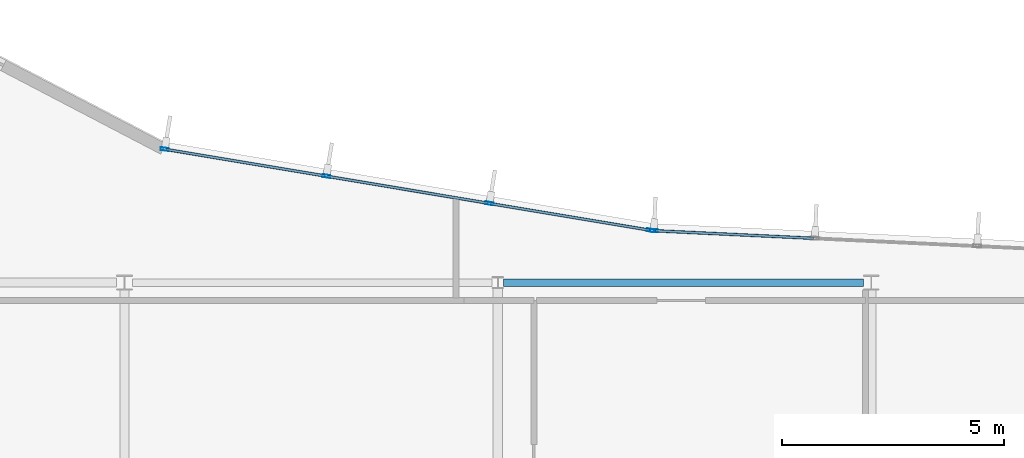
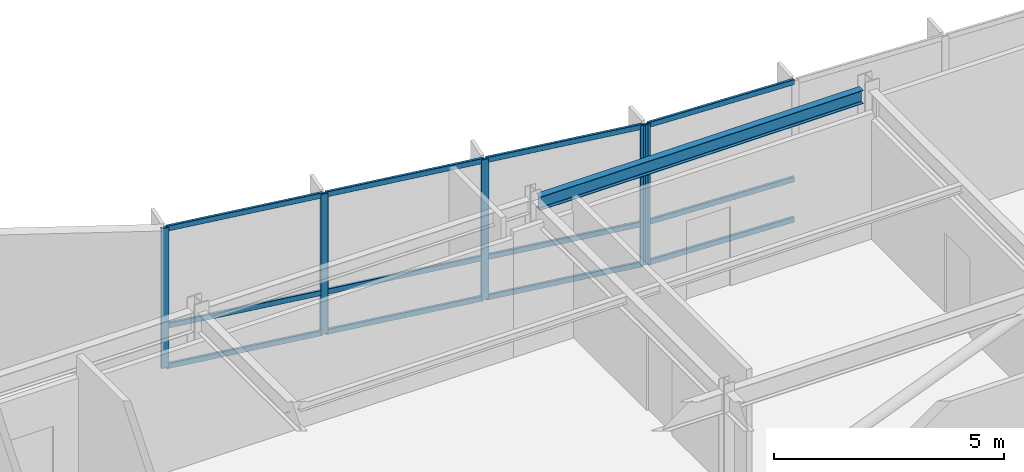
# One storey, part 6 of 17: 17 members, 1 beam, 2 elements without a shape of their own.
"""IFC4 building model written with IfcOpenShell, lengths in metres."""

import ifcopenshell
import ifcopenshell.guid

model = None  # the IFC model being written
_history = None  # IfcOwnerHistory: only IFC2X3 demands one
_inside = {}  # id of a spatial element -> (the spatial element, [elements in it])
_under = {}  # id of a project, library or spatial element -> (it, [spatial elements below it])
_declared = {}  # id of a project -> (the project, [libraries it declares])
_typed = {}  # id of a type object -> (the type object, [elements of that type])
_made_of = {}  # id of a material, layer set ... -> (it, [elements and type objects made of it])


def new_model(schema):
    """Start an empty IFC model of exactly this schema.

    Asked for "IFC4X3", IfcOpenShell would pick the latest addendum, in which some entities
    have other attributes; the version numbers below select the first issue.
    IFC2X3 requires an IfcOwnerHistory on every rooted entity: one is made here for all.
    """
    global model, _history
    if schema == "IFC4X3":
        model = ifcopenshell.file(schema_version=(4, 3, 0, 0))
    else:
        model = ifcopenshell.file(schema=schema)
    _inside.clear()
    _under.clear()
    _declared.clear()
    _typed.clear()
    _made_of.clear()
    _history = None
    if model.schema == "IFC2X3":
        org = make("IfcOrganization", Name="unknown")
        user = make(
            "IfcPersonAndOrganization",
            ThePerson=make("IfcPerson", FamilyName="unknown"),
            TheOrganization=org,
        )
        app = make(
            "IfcApplication",
            ApplicationDeveloper=org,
            Version="unknown",
            ApplicationFullName="unknown",
            ApplicationIdentifier="unknown",
        )
        _history = make(
            "IfcOwnerHistory",
            OwningUser=user,
            OwningApplication=app,
            ChangeAction="ADDED",
            CreationDate=0,
        )
    return model


def make(cls, **values):
    """One entity of the class cls with the attributes given. An attribute that is None is left unset."""
    return model.create_entity(
        cls, **{name: value for name, value in values.items() if value is not None}
    )


def rooted(cls, **values):
    """An entity with a GlobalId (a new one), such as an element, a storey or a relation."""
    return make(cls, GlobalId=ifcopenshell.guid.new(), OwnerHistory=_history, **values)


def si_unit(unit_type, name, prefix=None):
    """IfcSIUnit, for example si_unit("LENGTHUNIT", "METRE", prefix="MILLI")."""
    return make("IfcSIUnit", UnitType=unit_type, Prefix=prefix, Name=name)


def assignment(units):
    """IfcUnitAssignment: the units of a project."""
    return None if units is None else make("IfcUnitAssignment", Units=units)


def point(xyz):
    """IfcCartesianPoint."""
    return None if xyz is None else make("IfcCartesianPoint", Coordinates=xyz)


def direction(xyz):
    """IfcDirection."""
    return None if xyz is None else make("IfcDirection", DirectionRatios=xyz)


def frame(location, z_axis=None, x_axis=None):
    """IfcAxis2Placement3D, a coordinate frame: its origin and axes. An axis left out is left unset."""
    return make(
        "IfcAxis2Placement3D",
        Location=point(location),
        Axis=direction(z_axis),
        RefDirection=direction(x_axis),
    )


def frame_2d(location, x_axis=None):
    """IfcAxis2Placement2D, a coordinate frame in the plane: its origin and x axis."""
    return make(
        "IfcAxis2Placement2D", Location=point(location), RefDirection=direction(x_axis)
    )


def origin():
    """The frame at (0, 0, 0) with its axes left unset."""
    return frame((0.0, 0.0, 0.0))


def origin_2d():
    """The frame at (0, 0) in the plane with its x axis left unset."""
    return frame_2d((0.0, 0.0))


def place(relative_to, where):
    """IfcLocalPlacement: puts the frame where relative to a parent placement (None: the world)."""
    return make(
        "IfcLocalPlacement", PlacementRelTo=relative_to, RelativePlacement=where
    )


def context(
    kind, dimensions, precision=None, world=None, true_north=None, identifier=None
):
    """IfcGeometricRepresentationContext, for example the 3D "Model" context."""
    return make(
        "IfcGeometricRepresentationContext",
        ContextIdentifier=identifier,
        ContextType=kind,
        CoordinateSpaceDimension=dimensions,
        Precision=precision,
        WorldCoordinateSystem=world,
        TrueNorth=true_north,
    )


def subcontext(parent, identifier, kind, view, scale=None):
    """IfcGeometricRepresentationSubContext, for example "Body" below "Model"."""
    return make(
        "IfcGeometricRepresentationSubContext",
        ContextIdentifier=identifier,
        ContextType=kind,
        ParentContext=parent,
        TargetScale=scale,
        TargetView=view,
    )


def project(units=None, contexts=None):
    """IfcProject with its units and contexts."""
    return rooted(
        "IfcProject",
        Name="project",
        RepresentationContexts=contexts,
        UnitsInContext=assignment(units),
    )


def spatial(cls, under=None, at=None, **own):
    """A site, building, storey or space (cls), placed at a placement, below another one or the project."""
    s = rooted(cls, ObjectPlacement=at, **own)
    if under is not None:
        _under.setdefault(under.id(), (under, []))[1].append(s)
    return s


def profile(cls, at=None, kind="AREA", **sizes):
    """A parametric profile (cls). Its sizes go by their IFC names, for example OverallWidth=200.0."""
    return make(cls, ProfileType=kind, Position=at, **sizes)


def hollow_rectangle(**sizes):
    """IfcRectangleHollowProfileDef."""
    return profile("IfcRectangleHollowProfileDef", **sizes)


def i_section(**sizes):
    """IfcIShapeProfileDef."""
    return profile("IfcIShapeProfileDef", **sizes)


def extrude(swept, where, along, depth):
    """IfcExtrudedAreaSolid: the profile swept, set in the frame where, extruded along a direction by depth."""
    return make(
        "IfcExtrudedAreaSolid",
        SweptArea=swept,
        Position=where,
        ExtrudedDirection=direction(along),
        Depth=depth,
    )


def shape(context_of_items, identifier, shape_type, items):
    """IfcShapeRepresentation: the items that make up one representation, for example the "Body"."""
    return make(
        "IfcShapeRepresentation",
        ContextOfItems=context_of_items,
        RepresentationIdentifier=identifier,
        RepresentationType=shape_type,
        Items=items,
    )


def material(Name=None, Category=None):
    """IfcMaterial."""
    return make("IfcMaterial", Name=Name, Category=Category)


def layer(
    of_material, thickness, ventilated=None, Name=None, Category=None, Priority=None
):
    """IfcMaterialLayer: one layer of a wall or slab, of a material (None: an air gap)."""
    return make(
        "IfcMaterialLayer",
        Material=of_material,
        LayerThickness=thickness,
        IsVentilated=ventilated,
        Name=Name,
        Category=Category,
        Priority=Priority,
    )


def layer_set(layers, Name=None):
    """IfcMaterialLayerSet."""
    return make("IfcMaterialLayerSet", MaterialLayers=layers, LayerSetName=Name)


def material_profile(
    of_material, cross_section, Name=None, Category=None, Priority=None
):
    """IfcMaterialProfile: a cross section and its material."""
    return make(
        "IfcMaterialProfile",
        Name=Name,
        Material=of_material,
        Profile=cross_section,
        Priority=Priority,
        Category=Category,
    )


def profile_set(profiles, Name=None, composite=None):
    """IfcMaterialProfileSet."""
    return make(
        "IfcMaterialProfileSet",
        Name=Name,
        MaterialProfiles=profiles,
        CompositeProfile=composite,
    )


def made_of(thing, what):
    """Note that an element or type object is made of a material, layer set ...; save() writes the relation."""
    if what is not None:
        _made_of.setdefault(what.id(), (what, []))[1].append(thing)
    return thing


def type_object(cls, material=None, **own):
    """A type object (cls), such as IfcWallType, which elements share."""
    return made_of(rooted(cls, **own), material)


def element(
    cls,
    number,
    at=None,
    inside=None,
    cuts=None,
    type_object=None,
    material=None,
    context=None,
    identifier="Body",
    shape_type=None,
    held_by="IfcProductDefinitionShape",
    body=None,
    shapes=None,
    **own,
):
    """One element of the class cls, such as IfcWall. Its Tag is "e" and its number.

    at: its placement. inside: the storey or other place that contains it. cuts: it is an
    opening in that element (IfcRelVoidsElement). A single representation is given by context,
    identifier, shape_type and body (its items); several are given by shapes. held_by: the class
    of the entity that holds the representations. save() writes the other relations.
    """
    e = rooted(cls, Tag="e%d" % number, ObjectPlacement=at, **own)
    if body is not None:
        shapes = [shape(context, identifier, shape_type, body)]
    if shapes is not None:
        e.Representation = make(held_by, Representations=shapes)
    if inside is not None:
        _inside.setdefault(inside.id(), (inside, []))[1].append(e)
    if cuts is not None:
        rooted(
            "IfcRelVoidsElement", RelatingBuildingElement=cuts, RelatedOpeningElement=e
        )
    if type_object is not None:
        _typed.setdefault(type_object.id(), (type_object, []))[1].append(e)
    return made_of(e, material)


def aggregate(whole, parts):
    """IfcRelAggregates: a whole, such as a stair, and the parts it consists of."""
    return rooted("IfcRelAggregates", RelatingObject=whole, RelatedObjects=parts)


def save(model, path):
    """Write the relations noted so far, then the file.

    IfcRelAggregates (storeys below a building ...), IfcRelContainedInSpatialStructure (elements
    in a storey), IfcRelDefinesByType, IfcRelAssociatesMaterial and IfcRelDeclares: one each for
    every whole, place, type object, material and project.
    """
    for whole, parts in _under.values():
        aggregate(whole, parts)
    for where, things in _inside.values():
        rooted(
            "IfcRelContainedInSpatialStructure",
            RelatedElements=things,
            RelatingStructure=where,
        )
    for kind, things in _typed.values():
        rooted("IfcRelDefinesByType", RelatedObjects=things, RelatingType=kind)
    for what, things in _made_of.values():
        rooted("IfcRelAssociatesMaterial", RelatedObjects=things, RelatingMaterial=what)
    for by, libraries in _declared.values():
        rooted("IfcRelDeclares", RelatingContext=by, RelatedDefinitions=libraries)
    model.write(path)


model = new_model("IFC4")

# Units and contexts
model_context = context("Model", 3, precision=1e-05, world=origin(), true_north=direction((0.0, 1.0)))
body_context = subcontext(model_context, "Body", "Model", "MODEL_VIEW")
ifc_project = project(units=[si_unit("LENGTHUNIT", "METRE"), si_unit("AREAUNIT", "SQUARE_METRE"), si_unit("VOLUMEUNIT", "CUBIC_METRE"), si_unit("PLANEANGLEUNIT", "RADIAN"), si_unit("MASSUNIT", "GRAM", prefix="KILO")], contexts=[model_context])

# Site, building, storey
site_placement = place(None, origin())
site = spatial("IfcSite", under=ifc_project, at=site_placement, CompositionType="ELEMENT")
building_placement = place(site_placement, origin())
building = spatial("IfcBuilding", under=site, at=building_placement, Name="Varnakote Quay Hospital", CompositionType="ELEMENT")
storey_placement = place(building_placement, frame((0.0, 0.0, 256.550048828125)))
storey = spatial("IfcBuildingStorey", under=building, at=storey_placement, Name="L63", CompositionType="ELEMENT", Elevation=256.550048828125)

# Curtain wall, member
ifc_material_1 = material(Name="Anodised aluminium 6063-T6 Bronze", Category="aluminium")
ifc_layer = layer(ifc_material_1, 0.235107421875)
ifc_layer_set = layer_set([ifc_layer], Name="Anodised aluminium 6063-T6 Bronze")
curtain_wall_type = type_object("IfcCurtainWallType", Name="CW-SYS-5", PredefinedType="NOTDEFINED", material=ifc_layer_set)
curtain_wall_1_placement = place(storey_placement, origin())
curtain_wall_1 = element("IfcCurtainWall", 1, at=curtain_wall_1_placement, inside=storey, type_object=curtain_wall_type, Name="L63 Unitised Bronze Curtain Wall 1", PredefinedType="NOTDEFINED")
ifc_material_2 = material(Name="Anodised aluminium 6063-T6 Bronze", Category="aluminium")
ifc_material_profile_1 = material_profile(ifc_material_2, hollow_rectangle(XDim=0.06494140625, YDim=0.179931640625, WallThickness=0.00390625, InnerFilletRadius=0.00390625, OuterFilletRadius=0.008056640625, at=origin_2d()), Name="CW-MULL-180x65")
ifc_profile_set_1 = profile_set([ifc_material_profile_1], Name="Anodised aluminium 6063-T6 Bronze")
member_type_1 = type_object("IfcMemberType", Name="CW-MULL-180x65", PredefinedType="MULLION", material=ifc_profile_set_1)
member_1_placement = place(storey_placement, frame((28.71142578125, 29.967041015625, 0.0), z_axis=(0.0, 0.0, 1.0), x_axis=(-0.04749674026, -0.998871392955, 0.0)))
member_1 = element("IfcMember", 2, at=member_1_placement, type_object=member_type_1, Name="-5-L63-1 mullion 4", PredefinedType="MULLION", context=body_context, shape_type="SweptSolid", body=[
    extrude(hollow_rectangle(XDim=0.06494140625, YDim=0.179931640625, WallThickness=0.00390625, InnerFilletRadius=0.00390625, OuterFilletRadius=0.008056640625, at=origin_2d()), origin(), (0.0, 0.0, 1.0), 3.7099609375),
])

# Curtain wall, members
curtain_wall_2_placement = place(storey_placement, origin())
curtain_wall_2 = element("IfcCurtainWall", 3, at=curtain_wall_2_placement, inside=storey, type_object=curtain_wall_type, Name="L63 Unitised Bronze Curtain Wall 2", PredefinedType="NOTDEFINED")
member_2_placement = place(storey_placement, frame((28.64697265625, 29.973876953125, 0.0), z_axis=(0.0, 0.0, 1.0), x_axis=(-0.164693982005, -0.98634471271, 0.0)))
member_2 = element("IfcMember", 4, at=member_2_placement, type_object=member_type_1, Name="-5-L63-2 mullion 1", PredefinedType="MULLION", context=body_context, shape_type="SweptSolid", body=[
    extrude(hollow_rectangle(XDim=0.06494140625, YDim=0.179931640625, WallThickness=0.00390625, InnerFilletRadius=0.00390625, OuterFilletRadius=0.008056640625, at=origin_2d()), origin(), (0.0, 0.0, 1.0), 3.7099609375),
])
member_3_placement = place(storey_placement, frame((25.01025390625, 30.581298828125, 0.0), z_axis=(0.0, 0.0, 1.0), x_axis=(-0.164693982005, -0.98634471271, 0.0)))
member_3 = element("IfcMember", 5, at=member_3_placement, type_object=member_type_1, Name="-5-L63-2 mullion 2", PredefinedType="MULLION", context=body_context, shape_type="SweptSolid", body=[
    extrude(hollow_rectangle(XDim=0.06494140625, YDim=0.179931640625, WallThickness=0.00390625, InnerFilletRadius=0.00390625, OuterFilletRadius=0.008056640625, at=origin_2d()), origin(), (0.0, 0.0, 1.0), 3.7099609375),
])
member_4_placement = place(storey_placement, frame((21.34130859375, 31.19384765625, 0.0), z_axis=(0.0, 0.0, 1.0), x_axis=(-0.164693982005, -0.98634471271, 0.0)))
member_4 = element("IfcMember", 6, at=member_4_placement, type_object=member_type_1, Name="-5-L63-2 mullion 3", PredefinedType="MULLION", context=body_context, shape_type="SweptSolid", body=[
    extrude(hollow_rectangle(XDim=0.06494140625, YDim=0.179931640625, WallThickness=0.00390625, InnerFilletRadius=0.00390625, OuterFilletRadius=0.008056640625, at=origin_2d()), origin(), (0.0, 0.0, 1.0), 3.7099609375),
])
member_5_placement = place(storey_placement, frame((17.70458984375, 31.801025390625, 0.0), z_axis=(0.0, 0.0, 1.0), x_axis=(-0.164693982005, -0.98634471271, 0.0)))
member_5 = element("IfcMember", 7, at=member_5_placement, type_object=member_type_1, Name="-5-L63-2 mullion 4", PredefinedType="MULLION", context=body_context, shape_type="SweptSolid", body=[
    extrude(hollow_rectangle(XDim=0.06494140625, YDim=0.179931640625, WallThickness=0.00390625, InnerFilletRadius=0.00390625, OuterFilletRadius=0.008056640625, at=origin_2d()), origin(), (0.0, 0.0, 1.0), 3.7099609375),
])

# Member
ifc_material_3 = material(Name="Anodised aluminium 6063-T6 Bronze", Category="aluminium")
ifc_material_profile_2 = material_profile(ifc_material_3, hollow_rectangle(XDim=0.06494140625, YDim=0.139892578125, WallThickness=0.00390625, InnerFilletRadius=0.00390625, OuterFilletRadius=0.007568359375, at=origin_2d()), Name="CW-TRAN-140x65")
ifc_profile_set_2 = profile_set([ifc_material_profile_2], Name="Anodised aluminium 6063-T6 Bronze")
member_type_2 = type_object("IfcMemberType", Name="CW-TRAN-140x65", PredefinedType="USERDEFINED", material=ifc_profile_set_2)
member_6_placement = place(storey_placement, frame((32.30029296875, 29.79638671875, 0.032470703125), z_axis=(-0.998870308608, 0.047519538949, 0.0), x_axis=(-0.047519538949, -0.998870308608, 0.0)))
member_6 = element("IfcMember", 8, at=member_6_placement, type_object=member_type_2, Name="-5-L63-1 transom 3.1", ObjectType="TRANSOM", PredefinedType="USERDEFINED", context=body_context, shape_type="SweptSolid", body=[
    extrude(hollow_rectangle(XDim=0.06494140625, YDim=0.139892578125, WallThickness=0.00390625, InnerFilletRadius=0.00390625, OuterFilletRadius=0.007568359375, at=origin_2d()), origin(), (0.0, 0.0, 1.0), 3.560302734375),
])

member_7_placement = place(storey_placement, frame((32.30029296875, 29.79638671875, 1.099853515625), z_axis=(-0.998870308608, 0.047519538949, 0.0), x_axis=(-0.047519538949, -0.998870308608, 0.0)))
member_7 = element("IfcMember", 9, at=member_7_placement, type_object=member_type_2, Name="-5-L63-1 transom 3.2", ObjectType="TRANSOM", PredefinedType="USERDEFINED", context=body_context, shape_type="SweptSolid", body=[
    extrude(hollow_rectangle(XDim=0.06494140625, YDim=0.139892578125, WallThickness=0.00390625, InnerFilletRadius=0.00390625, OuterFilletRadius=0.007568359375, at=origin_2d()), origin(), (0.0, 0.0, 1.0), 3.560302734375),
])

member_8_placement = place(storey_placement, frame((32.30029296875, 29.79638671875, 3.677490234375), z_axis=(-0.998870308608, 0.047519538949, 0.0), x_axis=(-0.047519538949, -0.998870308608, 0.0)))
member_8 = element("IfcMember", 10, at=member_8_placement, type_object=member_type_2, Name="-5-L63-1 transom 3.3", ObjectType="TRANSOM", PredefinedType="USERDEFINED", context=body_context, shape_type="SweptSolid", body=[
    extrude(hollow_rectangle(XDim=0.06494140625, YDim=0.139892578125, WallThickness=0.00390625, InnerFilletRadius=0.00390625, OuterFilletRadius=0.007568359375, at=origin_2d()), origin(), (0.0, 0.0, 1.0), 3.560302734375),
])

aggregate(curtain_wall_1, [member_1, member_6, member_7, member_8])

member_9_placement = place(storey_placement, frame((28.614990234375, 29.979248046875, 0.032470703125), z_axis=(-0.986339220262, 0.164726872647, 0.0), x_axis=(-0.164726872647, -0.986339220262, 0.0)))
member_9 = element("IfcMember", 11, at=member_9_placement, type_object=member_type_2, Name="-5-L63-2 transom 1.1", ObjectType="TRANSOM", PredefinedType="USERDEFINED", context=body_context, shape_type="SweptSolid", body=[
    extrude(hollow_rectangle(XDim=0.06494140625, YDim=0.139892578125, WallThickness=0.00390625, InnerFilletRadius=0.00390625, OuterFilletRadius=0.007568359375, at=origin_2d()), origin(), (0.0, 0.0, 1.0), 3.622314453125),
])

member_10_placement = place(storey_placement, frame((28.614990234375, 29.979248046875, 1.099853515625), z_axis=(-0.986339220262, 0.164726872647, 0.0), x_axis=(-0.164726872647, -0.986339220262, 0.0)))
member_10 = element("IfcMember", 12, at=member_10_placement, type_object=member_type_2, Name="-5-L63-2 transom 1.2", ObjectType="TRANSOM", PredefinedType="USERDEFINED", context=body_context, shape_type="SweptSolid", body=[
    extrude(hollow_rectangle(XDim=0.06494140625, YDim=0.139892578125, WallThickness=0.00390625, InnerFilletRadius=0.00390625, OuterFilletRadius=0.007568359375, at=origin_2d()), origin(), (0.0, 0.0, 1.0), 3.622314453125),
])

member_11_placement = place(storey_placement, frame((28.614990234375, 29.979248046875, 3.677490234375), z_axis=(-0.986339220262, 0.164726872647, 0.0), x_axis=(-0.164726872647, -0.986339220262, 0.0)))
member_11 = element("IfcMember", 13, at=member_11_placement, type_object=member_type_2, Name="-5-L63-2 transom 1.3", ObjectType="TRANSOM", PredefinedType="USERDEFINED", context=body_context, shape_type="SweptSolid", body=[
    extrude(hollow_rectangle(XDim=0.06494140625, YDim=0.139892578125, WallThickness=0.00390625, InnerFilletRadius=0.00390625, OuterFilletRadius=0.007568359375, at=origin_2d()), origin(), (0.0, 0.0, 1.0), 3.622314453125),
])

member_12_placement = place(storey_placement, frame((24.97802734375, 30.586669921875, 0.032470703125), z_axis=(-0.986348749379, 0.164669804756, 0.0), x_axis=(-0.164669804756, -0.986348749379, 0.0)))
member_12 = element("IfcMember", 14, at=member_12_placement, type_object=member_type_2, Name="-5-L63-2 transom 2.1", ObjectType="TRANSOM", PredefinedType="USERDEFINED", context=body_context, shape_type="SweptSolid", body=[
    extrude(hollow_rectangle(XDim=0.06494140625, YDim=0.139892578125, WallThickness=0.00390625, InnerFilletRadius=0.00390625, OuterFilletRadius=0.007568359375, at=origin_2d()), origin(), (0.0, 0.0, 1.0), 3.654541015625),
])

member_13_placement = place(storey_placement, frame((24.97802734375, 30.586669921875, 1.099853515625), z_axis=(-0.986348749379, 0.164669804756, 0.0), x_axis=(-0.164669804756, -0.986348749379, 0.0)))
member_13 = element("IfcMember", 15, at=member_13_placement, type_object=member_type_2, Name="-5-L63-2 transom 2.2", ObjectType="TRANSOM", PredefinedType="USERDEFINED", context=body_context, shape_type="SweptSolid", body=[
    extrude(hollow_rectangle(XDim=0.06494140625, YDim=0.139892578125, WallThickness=0.00390625, InnerFilletRadius=0.00390625, OuterFilletRadius=0.007568359375, at=origin_2d()), origin(), (0.0, 0.0, 1.0), 3.654541015625),
])

member_14_placement = place(storey_placement, frame((24.97802734375, 30.586669921875, 3.677490234375), z_axis=(-0.986348749379, 0.164669804756, 0.0), x_axis=(-0.164669804756, -0.986348749379, 0.0)))
member_14 = element("IfcMember", 16, at=member_14_placement, type_object=member_type_2, Name="-5-L63-2 transom 2.3", ObjectType="TRANSOM", PredefinedType="USERDEFINED", context=body_context, shape_type="SweptSolid", body=[
    extrude(hollow_rectangle(XDim=0.06494140625, YDim=0.139892578125, WallThickness=0.00390625, InnerFilletRadius=0.00390625, OuterFilletRadius=0.007568359375, at=origin_2d()), origin(), (0.0, 0.0, 1.0), 3.654541015625),
])

member_15_placement = place(storey_placement, frame((21.309326171875, 31.19921875, 0.032470703125), z_axis=(-0.98635016921, 0.164661299944, 0.0), x_axis=(-0.164661299944, -0.98635016921, 0.0)))
member_15 = element("IfcMember", 17, at=member_15_placement, type_object=member_type_2, Name="-5-L63-2 transom 3.1", ObjectType="TRANSOM", PredefinedType="USERDEFINED", context=body_context, shape_type="SweptSolid", body=[
    extrude(hollow_rectangle(XDim=0.06494140625, YDim=0.139892578125, WallThickness=0.00390625, InnerFilletRadius=0.00390625, OuterFilletRadius=0.007568359375, at=origin_2d()), origin(), (0.0, 0.0, 1.0), 3.622314453125),
])

member_16_placement = place(storey_placement, frame((21.309326171875, 31.19921875, 1.099853515625), z_axis=(-0.98635016921, 0.164661299944, 0.0), x_axis=(-0.164661299944, -0.98635016921, 0.0)))
member_16 = element("IfcMember", 18, at=member_16_placement, type_object=member_type_2, Name="-5-L63-2 transom 3.2", ObjectType="TRANSOM", PredefinedType="USERDEFINED", context=body_context, shape_type="SweptSolid", body=[
    extrude(hollow_rectangle(XDim=0.06494140625, YDim=0.139892578125, WallThickness=0.00390625, InnerFilletRadius=0.00390625, OuterFilletRadius=0.007568359375, at=origin_2d()), origin(), (0.0, 0.0, 1.0), 3.622314453125),
])

member_17_placement = place(storey_placement, frame((21.309326171875, 31.19921875, 3.677490234375), z_axis=(-0.98635016921, 0.164661299944, 0.0), x_axis=(-0.164661299944, -0.98635016921, 0.0)))
member_17 = element("IfcMember", 19, at=member_17_placement, type_object=member_type_2, Name="-5-L63-2 transom 3.3", ObjectType="TRANSOM", PredefinedType="USERDEFINED", context=body_context, shape_type="SweptSolid", body=[
    extrude(hollow_rectangle(XDim=0.06494140625, YDim=0.139892578125, WallThickness=0.00390625, InnerFilletRadius=0.00390625, OuterFilletRadius=0.007568359375, at=origin_2d()), origin(), (0.0, 0.0, 1.0), 3.622314453125),
])

aggregate(curtain_wall_2, [member_2, member_3, member_4, member_5, member_9, member_10, member_11, member_12, member_13, member_14, member_15, member_16, member_17])

# Beam
ifc_material_4 = material(Name="Structural steel AS/NZS 3679.1 Grade 350 L0 (fy 340 MPa)", Category="steel")
ifc_material_profile_3 = material_profile(ifc_material_4, i_section(OverallWidth=0.172119140625, OverallDepth=0.35888671875, WebThickness=0.008056640625, FlangeThickness=0.012939453125, FilletRadius=0.011474609375, at=origin_2d()), Name="360UB56.7")
ifc_profile_set_3 = profile_set([ifc_material_profile_3], Name="Structural steel AS/NZS 3679.1 Grade 350 L0 (fy 340 MPa)")
beam_type = type_object("IfcBeamType", Name="SPN-STL-360UB56-7", PredefinedType="SPANDREL", material=ifc_profile_set_3)
beam_placement = place(storey_placement, frame((25.326904296875, 28.800048828125, 3.530517578125), z_axis=(1.0, 0.0, 0.0), x_axis=(0.0, 1.0, 0.0)))
element("IfcBeam", 20, at=beam_placement, inside=storey, type_object=beam_type, Name="L63 Perimeter Spandrel Beam", PredefinedType="SPANDREL", context=body_context, shape_type="SweptSolid", body=[
    extrude(i_section(OverallWidth=0.172119140625, OverallDepth=0.35888671875, WebThickness=0.008056640625, FlangeThickness=0.012939453125, FilletRadius=0.011474609375, at=origin_2d()), origin(), (0.0, 0.0, 1.0), 8.09814453125),
])

save(model, "model.ifc")
